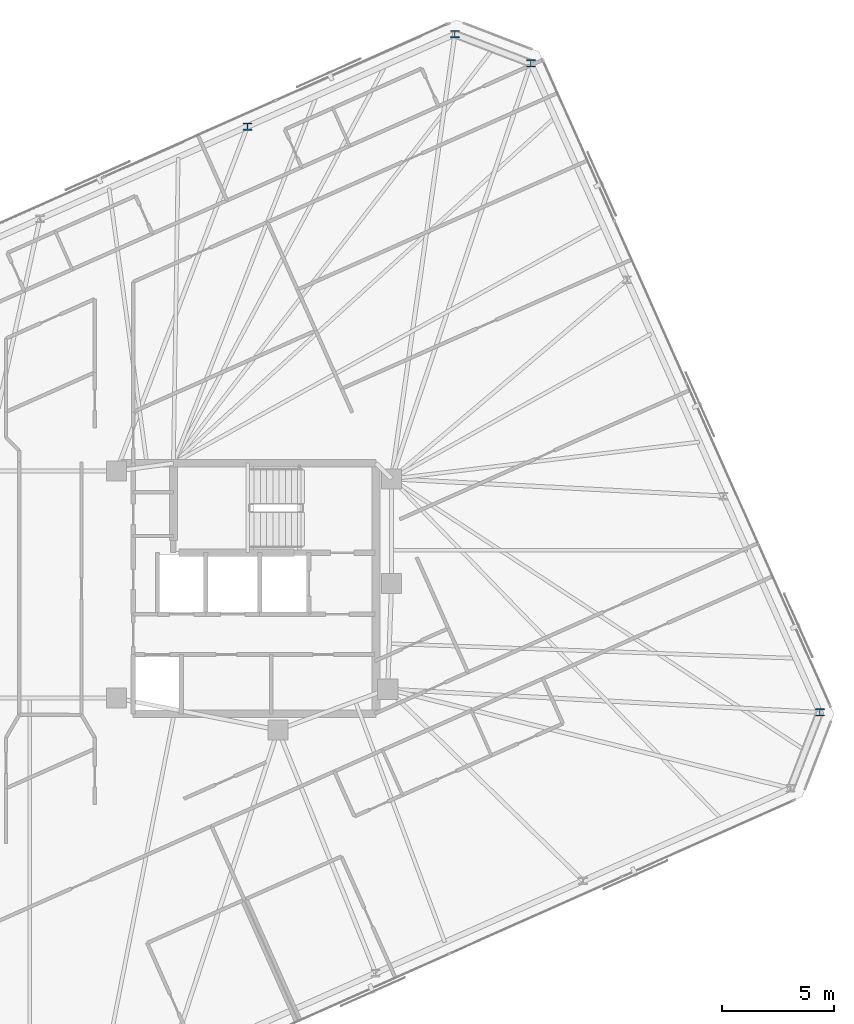
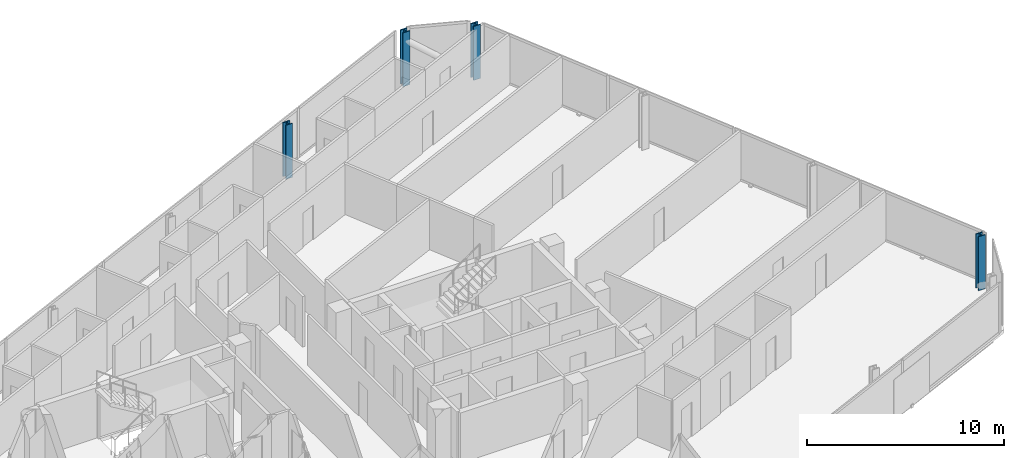
# One storey, part 4 of 19: 4 columns.
"""IFC4 building model written with IfcOpenShell, lengths in metres."""

from ifc_helpers import new_model, si_unit, direction, frame, origin, origin_2d, place, context, subcontext, project, spatial, i_section, extrude, material, material_profile, profile_set, type_object, element, save


model = new_model("IFC4")

# Units and contexts
model_context = context("Model", 3, precision=1e-05, world=origin(), true_north=direction((0.0, 1.0)))
body_context = subcontext(model_context, "Body", "Model", "MODEL_VIEW")
ifc_project = project(units=[si_unit("LENGTHUNIT", "METRE"), si_unit("AREAUNIT", "SQUARE_METRE"), si_unit("VOLUMEUNIT", "CUBIC_METRE"), si_unit("PLANEANGLEUNIT", "RADIAN"), si_unit("MASSUNIT", "GRAM", prefix="KILO")], contexts=[model_context])

# Site, building, storey
site_placement = place(None, origin())
site = spatial("IfcSite", under=ifc_project, at=site_placement, CompositionType="ELEMENT")
building_placement = place(site_placement, origin())
building = spatial("IfcBuilding", under=site, at=building_placement, Name="Menara Jurai Vektor", CompositionType="ELEMENT")
storey_placement = place(building_placement, frame((0.0, 0.0, 291.949951171875)))
storey = spatial("IfcBuildingStorey", under=building, at=storey_placement, Name="L78", CompositionType="ELEMENT", Elevation=291.949951171875)

# Columns
ifc_material = material(Name="Steel S460", Category="steel")
ifc_material_profile = material_profile(ifc_material, i_section(OverallWidth=0.40087890625, OverallDepth=0.3349609375, WebThickness=0.035888671875, FlangeThickness=0.05810546875, FilletRadius=0.014892578125, at=origin_2d()), Name="HD 400x463")
ifc_profile_set = profile_set([ifc_material_profile], Name="Steel S460")
column_type = type_object("IfcColumnType", Name="STR-EXO-BLK5", PredefinedType="COLUMN", material=ifc_profile_set)
for number, where, z_axis, x_axis, name in (
    (1, (34.3916015625, -5.536865234375, 0.0), (0.0, 0.0, 1.0), (1.0, 0.0, 0.0), "Exoskeleton Column BLK5-E1 L78"),
    (2, (21.4755859375, 23.473388671875, 0.0), (0.0, 0.0, 1.0), (1.0, 0.0, 0.0), "Exoskeleton Column BLK5-E4 L78"),
    (3, (18.07958984375, 24.777099609375, 0.0), (0.0, 0.0, 1.0), (1.0, 0.0, 0.0), "Exoskeleton Column BLK5-N1 L78"),
    (4, (8.805908203125, 20.648193359375, 0.0), (0.0, 0.0, 1.0), (1.0, 0.0, 0.0), "Exoskeleton Column BLK5-N2 L78"),
):
    element("IfcColumn", number, at=place(storey_placement, frame(where, z_axis=z_axis, x_axis=x_axis)), inside=storey, type_object=column_type, Name=name, PredefinedType="COLUMN", context=body_context, shape_type="SweptSolid", body=[
        extrude(i_section(OverallWidth=0.40087890625, OverallDepth=0.3349609375, WebThickness=0.035888671875, FlangeThickness=0.05810546875, FilletRadius=0.014892578125, at=origin_2d()), origin(), (0.0, 0.0, 1.0), 3.35009765625),
    ])

save(model, "model.ifc")
